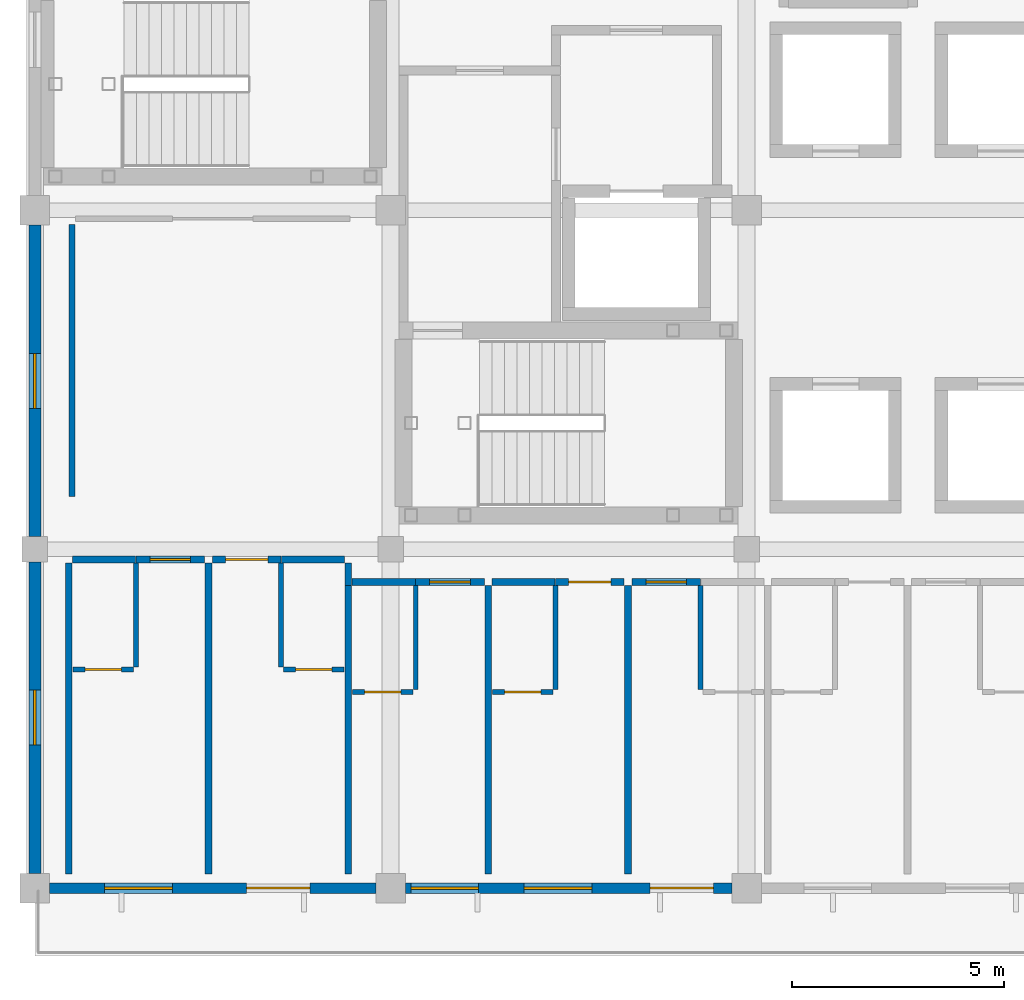
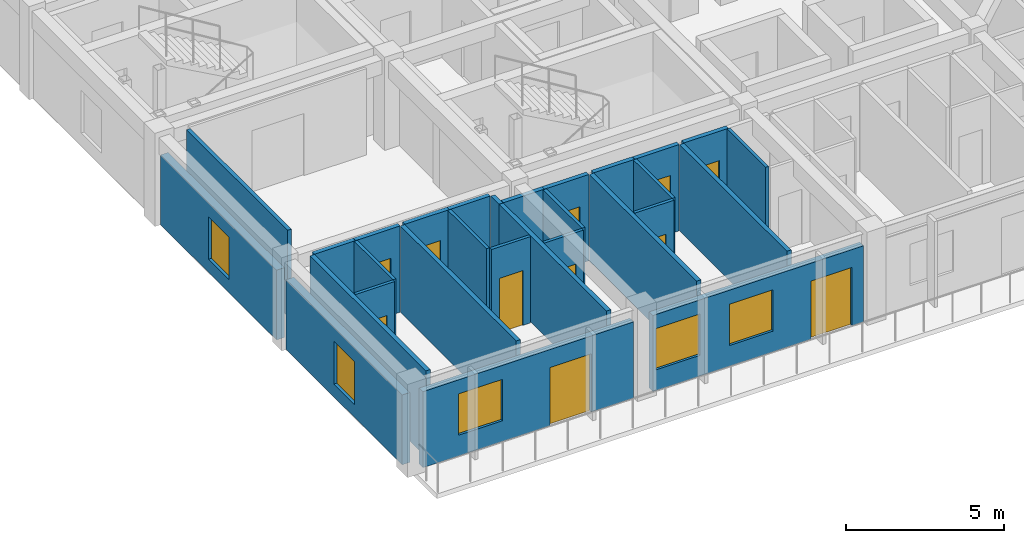
# One storey, part 4 of 15: 29 walls, 11 doors, 5 windows, 16 openings.
"""IFC4 building model written with IfcOpenShell, lengths in metres."""

from ifc_helpers import new_model, si_unit, direction, frame, frame_2d, origin, place, context, subcontext, project, spatial, rectangle, extrude, material, layer, layer_set, type_object, element, fill, save


model = new_model("IFC4")

# Units and contexts
model_context = context("Model", 3, precision=1e-05, world=origin(), true_north=direction((0.0, 1.0)))
body_context = subcontext(model_context, "Body", "Model", "MODEL_VIEW")
ifc_project = project(units=[si_unit("LENGTHUNIT", "METRE"), si_unit("AREAUNIT", "SQUARE_METRE"), si_unit("VOLUMEUNIT", "CUBIC_METRE"), si_unit("PLANEANGLEUNIT", "RADIAN"), si_unit("MASSUNIT", "GRAM", prefix="KILO")], contexts=[model_context])

# Site, building, storey
site_placement = place(None, origin())
site = spatial("IfcSite", under=ifc_project, at=site_placement, CompositionType="ELEMENT")
building_placement = place(site_placement, origin())
building = spatial("IfcBuilding", under=site, at=building_placement, Name="Naruveol Harbour Congress Hotel", CompositionType="ELEMENT")
storey_placement = place(building_placement, frame((0.0, 0.0, 32.39990234375)))
storey = spatial("IfcBuildingStorey", under=building, at=storey_placement, Name="L07", CompositionType="ELEMENT", Elevation=32.39990234375)

# Wall
ifc_material_1 = material(Name="Acoustic Double Stud Gypsum", Category="gypsum")
ifc_layer_1 = layer(ifc_material_1, 0.139892578125)
ifc_layer_set_1 = layer_set([ifc_layer_1], Name="Acoustic Double Stud Gypsum")
wall_type_1 = type_object("IfcWallType", Name="ACOUSTIC MEETING PARTITION WALL 140", PredefinedType="PARTITIONING", material=ifc_layer_set_1)
wall_1_placement = place(storey_placement, frame((118.47998046875, 9.25, 0.0), z_axis=(0.0, 0.0, 1.0), x_axis=(0.0, 1.0, 0.0)))
element("IfcWall", 1, at=wall_1_placement, inside=storey, type_object=wall_type_1, Name="Executive Harbour Lounge west partition PW-140", PredefinedType="PARTITIONING", context=body_context, shape_type="SweptSolid", body=[
    extrude(rectangle(XDim=6.409912109375, YDim=0.139892578125, at=frame_2d((3.205078125, 0.0))), origin(), (0.0, 0.0, 1.0), 3.335205078125),
])

# Wall, opening, window
ifc_material_2 = material(Name="Precast concrete C40/50", Category="concrete")
ifc_layer_2 = layer(ifc_material_2, 0.280029296875)
ifc_layer_set_2 = layer_set([ifc_layer_2], Name="Precast concrete C40/50")
wall_type_2 = type_object("IfcWallType", Name="ARCHITECTURAL PRECAST FACADE WALL 280", PredefinedType="SOLIDWALL", material=ifc_layer_set_2)
wall_2_placement = place(storey_placement, frame((117.60009765625, 0.35009765625, 0.0), z_axis=(0.0, 0.0, 1.0), x_axis=(0.0, 1.0, 0.0)))
wall_2 = element("IfcWall", 2, at=wall_2_placement, inside=storey, type_object=wall_type_2, Name="Hotel west gable wall L07 EW-280", PredefinedType="SOLIDWALL", context=body_context, shape_type="SweptSolid", body=[
    extrude(rectangle(XDim=7.349853515625, YDim=0.280029296875, at=frame_2d((3.6748046875, 0.0))), origin(), (0.0, 0.0, 1.0), 2.7001953125),
])
opening_1_placement = place(wall_2_placement, frame((3.02490234375, 0.0, 0.5)))
opening_1 = element("IfcOpeningElement", 3, at=opening_1_placement, cuts=wall_2, Name="Opening W-27", PredefinedType="OPENING", context=body_context, shape_type="SweptSolid", body=[
    extrude(rectangle(XDim=1.300048828125, YDim=1.64990234375, at=frame_2d((0.64990234375, 0.824951171875))), frame((0.0, 0.14990234375, 0.0), z_axis=(0.0, -1.0, 0.0), x_axis=(1.0, 0.0, 0.0)), (0.0, 0.0, 1.0), 0.300048828125),
])
ifc_material_3 = material(Name="Low-E Triple Glazing in Thermal Aluminium", Category="aluminium")
window_type_1 = type_object("IfcWindowType", Name="READING SALON TALL WINDOW 1300X1650", PartitioningType="SINGLE_PANEL", PredefinedType="WINDOW", material=ifc_material_3)
window_1_placement = place(opening_1_placement, origin())
window_1 = element("IfcWindow", 4, at=window_1_placement, inside=storey, type_object=window_type_1, Name="Window W-27 #411", OverallHeight=1.64990234375, OverallWidth=1.300048828125, PartitioningType="SINGLE_PANEL", PredefinedType="WINDOW", context=body_context, shape_type="SweptSolid", body=[
    extrude(rectangle(XDim=1.300048828125, YDim=1.64990234375, at=frame_2d((0.64990234375, 0.824951171875))), frame((0.0, 0.030029296875, 0.0), z_axis=(0.0, -1.0, 0.0), x_axis=(1.0, 0.0, 0.0)), (0.0, 0.0, 1.0), 0.06005859375),
])
fill(opening_1, window_1)

wall_3_placement = place(storey_placement, frame((117.60009765625, 8.300048828125, 0.0), z_axis=(0.0, 0.0, 1.0), x_axis=(0.0, 1.0, 0.0)))
wall_3 = element("IfcWall", 5, at=wall_3_placement, inside=storey, type_object=wall_type_2, Name="Hotel west gable wall L07 EW-280", PredefinedType="SOLIDWALL", context=body_context, shape_type="SweptSolid", body=[
    extrude(rectangle(XDim=7.349853515625, YDim=0.280029296875, at=frame_2d((3.6748046875, 0.0))), origin(), (0.0, 0.0, 1.0), 2.7001953125),
])
opening_2_placement = place(wall_3_placement, frame((3.02490234375, 0.0, 0.5)))
opening_2 = element("IfcOpeningElement", 6, at=opening_2_placement, cuts=wall_3, Name="Opening W-27", PredefinedType="OPENING", context=body_context, shape_type="SweptSolid", body=[
    extrude(rectangle(XDim=1.300048828125, YDim=1.64990234375, at=frame_2d((0.64990234375, 0.824951171875))), frame((0.0, 0.14990234375, 0.0), z_axis=(0.0, -1.0, 0.0), x_axis=(1.0, 0.0, 0.0)), (0.0, 0.0, 1.0), 0.300048828125),
])
window_2_placement = place(opening_2_placement, origin())
window_2 = element("IfcWindow", 7, at=window_2_placement, inside=storey, type_object=window_type_1, Name="Window W-27 #412", OverallHeight=1.64990234375, OverallWidth=1.300048828125, PartitioningType="SINGLE_PANEL", PredefinedType="WINDOW", context=body_context, shape_type="SweptSolid", body=[
    extrude(rectangle(XDim=1.300048828125, YDim=1.64990234375, at=frame_2d((0.64990234375, 0.824951171875))), frame((0.0, 0.030029296875, 0.0), z_axis=(0.0, -1.0, 0.0), x_axis=(1.0, 0.0, 0.0)), (0.0, 0.0, 1.0), 0.06005859375),
])
fill(opening_2, window_2)

# Wall
ifc_material_4 = material(Name="Moisture-Resistant Gypsum Partition", Category="gypsum")
ifc_layer_3 = layer(ifc_material_4, 0.114990234375)
ifc_layer_set_3 = layer_set([ifc_layer_3], Name="Moisture-Resistant Gypsum Partition")
wall_type_3 = type_object("IfcWallType", Name="BATHROOM MOISTURE PARTITION WALL 115", PredefinedType="PARTITIONING", material=ifc_layer_set_3)
wall_4_placement = place(storey_placement, frame((119.989990234375, 5.219970703125, 0.0), z_axis=(0.0, 0.0, 1.0), x_axis=(0.0, 1.0, 0.0)))
element("IfcWall", 8, at=wall_4_placement, inside=storey, type_object=wall_type_3, Name="Bathroom east wall 0887 PW-115", PredefinedType="PARTITIONING", context=body_context, shape_type="SweptSolid", body=[
    extrude(rectangle(XDim=2.449951171875, YDim=0.114990234375, at=frame_2d((1.22509765625, 0.0))), origin(), (0.0, 0.0, 1.0), 3.335205078125),
])

# Wall, opening, door
wall_5_placement = place(storey_placement, frame((118.5, 5.159912109375, 0.0), z_axis=(0.0, 0.0, 1.0), x_axis=(1.0, 0.0, 0.0)))
wall_5 = element("IfcWall", 9, at=wall_5_placement, inside=storey, type_object=wall_type_3, Name="Bathroom south wall 0887 PW-115", PredefinedType="PARTITIONING", context=body_context, shape_type="SweptSolid", body=[
    extrude(rectangle(XDim=1.429931640625, YDim=0.114990234375, at=frame_2d((0.71484375, 0.0))), origin(), (0.0, 0.0, 1.0), 3.335205078125),
])
opening_3_placement = place(wall_5_placement, frame((0.284912109375, 0.0, 0.0)))
opening_3 = element("IfcOpeningElement", 10, at=opening_3_placement, cuts=wall_5, Name="Opening BD-RM0887", PredefinedType="OPENING", context=body_context, shape_type="SweptSolid", body=[
    extrude(rectangle(XDim=0.860107421875, YDim=2.1201171875, at=frame_2d((0.43017578125, 1.06005859375))), frame((0.0, 0.0673828125, 0.0), z_axis=(0.0, -1.0, 0.0), x_axis=(1.0, 0.0, 0.0)), (0.0, 0.0, 1.0), 0.135009765625),
])
ifc_material_5 = material(Name="Timber & Steel Acoustic Leaf", Category="steel")
door_type_1 = type_object("IfcDoorType", Name="GUEST BATHROOM DOOR 860X2120", OperationType="NOTDEFINED", PredefinedType="DOOR", material=ifc_material_5)
door_1_placement = place(opening_3_placement, origin())
door_1 = element("IfcDoor", 11, at=door_1_placement, inside=storey, type_object=door_type_1, Name="Bathroom Door 0887", OperationType="SINGLE_SWING_RIGHT", OverallHeight=2.1201171875, OverallWidth=0.860107421875, PredefinedType="DOOR", context=body_context, shape_type="SweptSolid", body=[
    extrude(rectangle(XDim=0.860107421875, YDim=2.1201171875, at=frame_2d((0.43017578125, 1.06005859375))), frame((0.0, 0.02490234375, 0.0), z_axis=(0.0, -1.0, 0.0), x_axis=(1.0, 0.0, 0.0)), (0.0, 0.0, 1.0), 0.050048828125),
])
fill(opening_3, door_1)

# Wall
wall_6_placement = place(storey_placement, frame((123.409912109375, 5.219970703125, 0.0), z_axis=(0.0, 0.0, 1.0), x_axis=(0.0, 1.0, 0.0)))
element("IfcWall", 12, at=wall_6_placement, inside=storey, type_object=wall_type_3, Name="Bathroom west wall 0888 PW-115", PredefinedType="PARTITIONING", context=body_context, shape_type="SweptSolid", body=[
    extrude(rectangle(XDim=2.449951171875, YDim=0.114990234375, at=frame_2d((1.22509765625, 0.0))), origin(), (0.0, 0.0, 1.0), 3.335205078125),
])

# Wall, opening, door
wall_7_placement = place(storey_placement, frame((123.469970703125, 5.159912109375, 0.0), z_axis=(0.0, 0.0, 1.0), x_axis=(1.0, 0.0, 0.0)))
wall_7 = element("IfcWall", 13, at=wall_7_placement, inside=storey, type_object=wall_type_3, Name="Bathroom south wall 0888 PW-115", PredefinedType="PARTITIONING", context=body_context, shape_type="SweptSolid", body=[
    extrude(rectangle(XDim=1.429931640625, YDim=0.114990234375, at=frame_2d((0.71484375, 0.0))), origin(), (0.0, 0.0, 1.0), 3.335205078125),
])
opening_4_placement = place(wall_7_placement, frame((0.284912109375, 0.0, 0.0)))
opening_4 = element("IfcOpeningElement", 14, at=opening_4_placement, cuts=wall_7, Name="Opening BD-RM0888", PredefinedType="OPENING", context=body_context, shape_type="SweptSolid", body=[
    extrude(rectangle(XDim=0.860107421875, YDim=2.1201171875, at=frame_2d((0.43017578125, 1.06005859375))), frame((0.0, 0.0673828125, 0.0), z_axis=(0.0, -1.0, 0.0), x_axis=(1.0, 0.0, 0.0)), (0.0, 0.0, 1.0), 0.135009765625),
])
door_2_placement = place(opening_4_placement, origin())
door_2 = element("IfcDoor", 15, at=door_2_placement, inside=storey, type_object=door_type_1, Name="Bathroom Door 0888", OperationType="SINGLE_SWING_RIGHT", OverallHeight=2.1201171875, OverallWidth=0.860107421875, PredefinedType="DOOR", context=body_context, shape_type="SweptSolid", body=[
    extrude(rectangle(XDim=0.860107421875, YDim=2.1201171875, at=frame_2d((0.43017578125, 1.06005859375))), frame((0.0, 0.02490234375, 0.0), z_axis=(0.0, -1.0, 0.0), x_axis=(1.0, 0.0, 0.0)), (0.0, 0.0, 1.0), 0.050048828125),
])
fill(opening_4, door_2)

# Wall
wall_8_placement = place(storey_placement, frame((126.590087890625, 4.68994140625, 0.0), z_axis=(0.0, 0.0, 1.0), x_axis=(0.0, 1.0, 0.0)))
element("IfcWall", 16, at=wall_8_placement, inside=storey, type_object=wall_type_3, Name="Bathroom east wall 0889 PW-115", PredefinedType="PARTITIONING", context=body_context, shape_type="SweptSolid", body=[
    extrude(rectangle(XDim=2.449951171875, YDim=0.114990234375, at=frame_2d((1.22509765625, 0.0))), origin(), (0.0, 0.0, 1.0), 3.335205078125),
])

# Wall, opening, door
wall_9_placement = place(storey_placement, frame((125.10009765625, 4.6298828125, 0.0), z_axis=(0.0, 0.0, 1.0), x_axis=(1.0, 0.0, 0.0)))
wall_9 = element("IfcWall", 17, at=wall_9_placement, inside=storey, type_object=wall_type_3, Name="Bathroom south wall 0889 PW-115", PredefinedType="PARTITIONING", context=body_context, shape_type="SweptSolid", body=[
    extrude(rectangle(XDim=1.429931640625, YDim=0.114990234375, at=frame_2d((0.71484375, 0.0))), origin(), (0.0, 0.0, 1.0), 3.335205078125),
])
opening_5_placement = place(wall_9_placement, frame((0.284912109375, 0.0, 0.0)))
opening_5 = element("IfcOpeningElement", 18, at=opening_5_placement, cuts=wall_9, Name="Opening BD-RM0889", PredefinedType="OPENING", context=body_context, shape_type="SweptSolid", body=[
    extrude(rectangle(XDim=0.860107421875, YDim=2.1201171875, at=frame_2d((0.43017578125, 1.06005859375))), frame((0.0, 0.0673828125, 0.0), z_axis=(0.0, -1.0, 0.0), x_axis=(1.0, 0.0, 0.0)), (0.0, 0.0, 1.0), 0.135009765625),
])
door_3_placement = place(opening_5_placement, origin())
door_3 = element("IfcDoor", 19, at=door_3_placement, inside=storey, type_object=door_type_1, Name="Bathroom Door 0889", OperationType="SINGLE_SWING_RIGHT", OverallHeight=2.1201171875, OverallWidth=0.860107421875, PredefinedType="DOOR", context=body_context, shape_type="SweptSolid", body=[
    extrude(rectangle(XDim=0.860107421875, YDim=2.1201171875, at=frame_2d((0.43017578125, 1.06005859375))), frame((0.0, 0.02490234375, 0.0), z_axis=(0.0, -1.0, 0.0), x_axis=(1.0, 0.0, 0.0)), (0.0, 0.0, 1.0), 0.050048828125),
])
fill(opening_5, door_3)

# Wall
wall_10_placement = place(storey_placement, frame((129.889892578125, 4.68994140625, 0.0), z_axis=(0.0, 0.0, 1.0), x_axis=(0.0, 1.0, 0.0)))
element("IfcWall", 20, at=wall_10_placement, inside=storey, type_object=wall_type_3, Name="Bathroom east wall 0890 PW-115", PredefinedType="PARTITIONING", context=body_context, shape_type="SweptSolid", body=[
    extrude(rectangle(XDim=2.449951171875, YDim=0.114990234375, at=frame_2d((1.22509765625, 0.0))), origin(), (0.0, 0.0, 1.0), 3.335205078125),
])

# Wall, opening, door
wall_11_placement = place(storey_placement, frame((128.39990234375, 4.6298828125, 0.0), z_axis=(0.0, 0.0, 1.0), x_axis=(1.0, 0.0, 0.0)))
wall_11 = element("IfcWall", 21, at=wall_11_placement, inside=storey, type_object=wall_type_3, Name="Bathroom south wall 0890 PW-115", PredefinedType="PARTITIONING", context=body_context, shape_type="SweptSolid", body=[
    extrude(rectangle(XDim=1.43017578125, YDim=0.114990234375, at=frame_2d((0.715087890625, 0.0))), origin(), (0.0, 0.0, 1.0), 3.335205078125),
])
opening_6_placement = place(wall_11_placement, frame((0.284912109375, 0.0, 0.0)))
opening_6 = element("IfcOpeningElement", 22, at=opening_6_placement, cuts=wall_11, Name="Opening BD-RM0890", PredefinedType="OPENING", context=body_context, shape_type="SweptSolid", body=[
    extrude(rectangle(XDim=0.860107421875, YDim=2.1201171875, at=frame_2d((0.43017578125, 1.06005859375))), frame((0.0, 0.0673828125, 0.0), z_axis=(0.0, -1.0, 0.0), x_axis=(1.0, 0.0, 0.0)), (0.0, 0.0, 1.0), 0.135009765625),
])
door_4_placement = place(opening_6_placement, origin())
door_4 = element("IfcDoor", 23, at=door_4_placement, inside=storey, type_object=door_type_1, Name="Bathroom Door 0890", OperationType="SINGLE_SWING_RIGHT", OverallHeight=2.1201171875, OverallWidth=0.860107421875, PredefinedType="DOOR", context=body_context, shape_type="SweptSolid", body=[
    extrude(rectangle(XDim=0.860107421875, YDim=2.1201171875, at=frame_2d((0.43017578125, 1.06005859375))), frame((0.0, 0.02490234375, 0.0), z_axis=(0.0, -1.0, 0.0), x_axis=(1.0, 0.0, 0.0)), (0.0, 0.0, 1.0), 0.050048828125),
])
fill(opening_6, door_4)

# Walls
wall_12_placement = place(storey_placement, frame((133.31005859375, 4.68994140625, 0.0), z_axis=(0.0, 0.0, 1.0), x_axis=(0.0, 1.0, 0.0)))
element("IfcWall", 24, at=wall_12_placement, inside=storey, type_object=wall_type_3, Name="Bathroom west wall 0891 PW-115", PredefinedType="PARTITIONING", context=body_context, shape_type="SweptSolid", body=[
    extrude(rectangle(XDim=2.449951171875, YDim=0.114990234375, at=frame_2d((1.22509765625, 0.0))), origin(), (0.0, 0.0, 1.0), 3.335205078125),
])
ifc_material_6 = material(Name="Autoclaved Aerated Concrete Block", Category="concrete")
ifc_layer_4 = layer(ifc_material_6, 0.159912109375)
ifc_layer_set_4 = layer_set([ifc_layer_4], Name="Autoclaved Aerated Concrete Block")
wall_type_4 = type_object("IfcWallType", Name="HOTEL PARTY AND CORRIDOR WALL 160 EI60", PredefinedType="PARTITIONING", material=ifc_layer_set_4)
wall_13_placement = place(storey_placement, frame((118.489990234375, 7.760009765625, 0.0), z_axis=(0.0, 0.0, 1.0), x_axis=(1.0, 0.0, 0.0)))
element("IfcWall", 25, at=wall_13_placement, inside=storey, type_object=wall_type_4, Name="Corridor wall 0887B PW-160", PredefinedType="PARTITIONING", context=body_context, shape_type="SweptSolid", body=[
    extrude(rectangle(XDim=1.489990234375, YDim=0.159912109375, at=frame_2d((0.7451171875, 0.0))), origin(), (0.0, 0.0, 1.0), 3.335205078125),
])

# Wall, opening, door
wall_14_placement = place(storey_placement, frame((119.989990234375, 7.760009765625, 0.0), z_axis=(0.0, 0.0, 1.0), x_axis=(1.0, 0.0, 0.0)))
wall_14 = element("IfcWall", 26, at=wall_14_placement, inside=storey, type_object=wall_type_4, Name="Corridor entry wall 0887 PW-160", PredefinedType="PARTITIONING", context=body_context, shape_type="SweptSolid", body=[
    extrude(rectangle(XDim=1.6201171875, YDim=0.159912109375, at=frame_2d((0.81005859375, 0.0))), origin(), (0.0, 0.0, 1.0), 3.335205078125),
])
opening_7_placement = place(wall_14_placement, frame((0.330078125, 0.0, 0.0)))
opening_7 = element("IfcOpeningElement", 27, at=opening_7_placement, cuts=wall_14, Name="Opening FD-RM0887", PredefinedType="OPENING", context=body_context, shape_type="SweptSolid", body=[
    extrude(rectangle(XDim=0.9599609375, YDim=2.199951171875, at=frame_2d((0.47998046875, 1.10009765625))), frame((0.0, 0.08984375, 0.0), z_axis=(0.0, -1.0, 0.0), x_axis=(1.0, 0.0, 0.0)), (0.0, 0.0, 1.0), 0.179931640625),
])
ifc_material_7 = material(Name="Timber & Steel Acoustic Leaf", Category="steel")
door_type_2 = type_object("IfcDoorType", Name="GUEST ROOM ENTRANCE FIRE DOOR 960X2200", OperationType="NOTDEFINED", PredefinedType="DOOR", material=ifc_material_7)
door_5_placement = place(opening_7_placement, origin())
door_5 = element("IfcDoor", 28, at=door_5_placement, inside=storey, type_object=door_type_2, Name="Hotel Room Door 0887", OperationType="SINGLE_SWING_LEFT", OverallHeight=2.199951171875, OverallWidth=0.9599609375, PredefinedType="DOOR", context=body_context, shape_type="SweptSolid", body=[
    extrude(rectangle(XDim=0.9599609375, YDim=2.199951171875, at=frame_2d((0.47998046875, 1.10009765625))), frame((0.0, 0.02490234375, 0.0), z_axis=(0.0, -1.0, 0.0), x_axis=(1.0, 0.0, 0.0)), (0.0, 0.0, 1.0), 0.050048828125),
])
fill(opening_7, door_5)

# Wall
wall_15_placement = place(storey_placement, frame((118.39990234375, 0.340087890625, 0.0), z_axis=(0.0, 0.0, 1.0), x_axis=(0.0, 1.0, 0.0)))
element("IfcWall", 29, at=wall_15_placement, inside=storey, type_object=wall_type_4, Name="Hotel party wall 0887 PW-160", PredefinedType="PARTITIONING", context=body_context, shape_type="SweptSolid", body=[
    extrude(rectangle(XDim=7.329833984375, YDim=0.159912109375, at=frame_2d((3.6650390625, 0.0))), origin(), (0.0, 0.0, 1.0), 3.335205078125),
])

# Wall, opening, door
wall_16_placement = place(storey_placement, frame((121.7900390625, 7.760009765625, 0.0), z_axis=(0.0, 0.0, 1.0), x_axis=(1.0, 0.0, 0.0)))
wall_16 = element("IfcWall", 30, at=wall_16_placement, inside=storey, type_object=wall_type_4, Name="Corridor entry wall 0888 PW-160", PredefinedType="PARTITIONING", context=body_context, shape_type="SweptSolid", body=[
    extrude(rectangle(XDim=1.619873046875, YDim=0.159912109375, at=frame_2d((0.81005859375, 0.0))), origin(), (0.0, 0.0, 1.0), 3.335205078125),
])
opening_8_placement = place(wall_16_placement, frame((0.31005859375, 0.0, 0.0)))
opening_8 = element("IfcOpeningElement", 31, at=opening_8_placement, cuts=wall_16, Name="Opening FD-RM0888", PredefinedType="OPENING", context=body_context, shape_type="SweptSolid", body=[
    extrude(rectangle(XDim=1.0, YDim=2.25, at=frame_2d((0.5, 1.125))), frame((0.0, 0.08984375, 0.0), z_axis=(0.0, -1.0, 0.0), x_axis=(1.0, 0.0, 0.0)), (0.0, 0.0, 1.0), 0.179931640625),
])
ifc_material_8 = material(Name="Timber & Steel Acoustic Leaf", Category="steel")
door_type_3 = type_object("IfcDoorType", Name="DELUXE GUEST ENTRANCE FIRE DOOR 1000X2250", OperationType="NOTDEFINED", PredefinedType="DOOR", material=ifc_material_8)
door_6_placement = place(opening_8_placement, origin())
door_6 = element("IfcDoor", 32, at=door_6_placement, inside=storey, type_object=door_type_3, Name="Hotel Room Door 0888", OperationType="SINGLE_SWING_LEFT", OverallHeight=2.25, OverallWidth=1.0, PredefinedType="DOOR", context=body_context, shape_type="SweptSolid", body=[
    extrude(rectangle(XDim=1.0, YDim=2.25, at=frame_2d((0.5, 1.125))), frame((0.0, 0.02490234375, 0.0), z_axis=(0.0, -1.0, 0.0), x_axis=(1.0, 0.0, 0.0)), (0.0, 0.0, 1.0), 0.050048828125),
])
fill(opening_8, door_6)

# Walls
wall_17_placement = place(storey_placement, frame((123.419921875, 7.760009765625, 0.0), z_axis=(0.0, 0.0, 1.0), x_axis=(1.0, 0.0, 0.0)))
element("IfcWall", 33, at=wall_17_placement, inside=storey, type_object=wall_type_4, Name="Corridor wall 0888B PW-160", PredefinedType="PARTITIONING", context=body_context, shape_type="SweptSolid", body=[
    extrude(rectangle(XDim=1.489990234375, YDim=0.159912109375, at=frame_2d((0.7451171875, 0.0))), origin(), (0.0, 0.0, 1.0), 3.335205078125),
])
wall_18_placement = place(storey_placement, frame((121.699951171875, 0.340087890625, 0.0), z_axis=(0.0, 0.0, 1.0), x_axis=(0.0, 1.0, 0.0)))
element("IfcWall", 34, at=wall_18_placement, inside=storey, type_object=wall_type_4, Name="Hotel party wall 0888 PW-160", PredefinedType="PARTITIONING", context=body_context, shape_type="SweptSolid", body=[
    extrude(rectangle(XDim=7.329833984375, YDim=0.159912109375, at=frame_2d((3.6650390625, 0.0))), origin(), (0.0, 0.0, 1.0), 3.335205078125),
])
wall_19_placement = place(storey_placement, frame((125.0, 7.14990234375, 0.0), z_axis=(0.0, 0.0, 1.0), x_axis=(0.0, 1.0, 0.0)))
element("IfcWall", 35, at=wall_19_placement, inside=storey, type_object=wall_type_4, Name="Hotel end party wall 0888 PW-160", PredefinedType="PARTITIONING", context=body_context, shape_type="SweptSolid", body=[
    extrude(rectangle(XDim=0.52001953125, YDim=0.159912109375, at=frame_2d((0.260009765625, 0.0))), origin(), (0.0, 0.0, 1.0), 3.335205078125),
])
wall_20_placement = place(storey_placement, frame((125.090087890625, 7.22998046875, 0.0), z_axis=(0.0, 0.0, 1.0), x_axis=(1.0, 0.0, 0.0)))
element("IfcWall", 36, at=wall_20_placement, inside=storey, type_object=wall_type_4, Name="Corridor wall 0889B PW-160", PredefinedType="PARTITIONING", context=body_context, shape_type="SweptSolid", body=[
    extrude(rectangle(XDim=1.489990234375, YDim=0.159912109375, at=frame_2d((0.7451171875, 0.0))), origin(), (0.0, 0.0, 1.0), 3.335205078125),
])

# Wall, opening, door
wall_21_placement = place(storey_placement, frame((126.590087890625, 7.22998046875, 0.0), z_axis=(0.0, 0.0, 1.0), x_axis=(1.0, 0.0, 0.0)))
wall_21 = element("IfcWall", 37, at=wall_21_placement, inside=storey, type_object=wall_type_4, Name="Corridor entry wall 0889 PW-160", PredefinedType="PARTITIONING", context=body_context, shape_type="SweptSolid", body=[
    extrude(rectangle(XDim=1.619873046875, YDim=0.159912109375, at=frame_2d((0.81005859375, 0.0))), origin(), (0.0, 0.0, 1.0), 3.335205078125),
])
opening_9_placement = place(wall_21_placement, frame((0.330078125, 0.0, 0.0)))
opening_9 = element("IfcOpeningElement", 38, at=opening_9_placement, cuts=wall_21, Name="Opening FD-RM0889", PredefinedType="OPENING", context=body_context, shape_type="SweptSolid", body=[
    extrude(rectangle(XDim=0.9599609375, YDim=2.199951171875, at=frame_2d((0.47998046875, 1.10009765625))), frame((0.0, 0.08984375, 0.0), z_axis=(0.0, -1.0, 0.0), x_axis=(1.0, 0.0, 0.0)), (0.0, 0.0, 1.0), 0.179931640625),
])
door_7_placement = place(opening_9_placement, origin())
door_7 = element("IfcDoor", 39, at=door_7_placement, inside=storey, type_object=door_type_2, Name="Hotel Room Door 0889", OperationType="SINGLE_SWING_LEFT", OverallHeight=2.199951171875, OverallWidth=0.9599609375, PredefinedType="DOOR", context=body_context, shape_type="SweptSolid", body=[
    extrude(rectangle(XDim=0.9599609375, YDim=2.199951171875, at=frame_2d((0.47998046875, 1.10009765625))), frame((0.0, 0.02490234375, 0.0), z_axis=(0.0, -1.0, 0.0), x_axis=(1.0, 0.0, 0.0)), (0.0, 0.0, 1.0), 0.050048828125),
])
fill(opening_9, door_7)

# Walls
wall_22_placement = place(storey_placement, frame((125.0, 0.340087890625, 0.0), z_axis=(0.0, 0.0, 1.0), x_axis=(0.0, 1.0, 0.0)))
element("IfcWall", 40, at=wall_22_placement, inside=storey, type_object=wall_type_4, Name="Hotel party wall 0889 PW-160", PredefinedType="PARTITIONING", context=body_context, shape_type="SweptSolid", body=[
    extrude(rectangle(XDim=6.7998046875, YDim=0.159912109375, at=frame_2d((3.39990234375, 0.0))), origin(), (0.0, 0.0, 1.0), 3.335205078125),
])
wall_23_placement = place(storey_placement, frame((128.389892578125, 7.22998046875, 0.0), z_axis=(0.0, 0.0, 1.0), x_axis=(1.0, 0.0, 0.0)))
element("IfcWall", 41, at=wall_23_placement, inside=storey, type_object=wall_type_4, Name="Corridor wall 0890B PW-160", PredefinedType="PARTITIONING", context=body_context, shape_type="SweptSolid", body=[
    extrude(rectangle(XDim=1.489990234375, YDim=0.159912109375, at=frame_2d((0.7451171875, 0.0))), origin(), (0.0, 0.0, 1.0), 3.335205078125),
])

# Wall, opening, door
wall_24_placement = place(storey_placement, frame((129.889892578125, 7.22998046875, 0.0), z_axis=(0.0, 0.0, 1.0), x_axis=(1.0, 0.0, 0.0)))
wall_24 = element("IfcWall", 42, at=wall_24_placement, inside=storey, type_object=wall_type_4, Name="Corridor entry wall 0890 PW-160", PredefinedType="PARTITIONING", context=body_context, shape_type="SweptSolid", body=[
    extrude(rectangle(XDim=1.6201171875, YDim=0.159912109375, at=frame_2d((0.81005859375, 0.0))), origin(), (0.0, 0.0, 1.0), 3.335205078125),
])
opening_10_placement = place(wall_24_placement, frame((0.31005859375, 0.0, 0.0)))
opening_10 = element("IfcOpeningElement", 43, at=opening_10_placement, cuts=wall_24, Name="Opening FD-RM0890", PredefinedType="OPENING", context=body_context, shape_type="SweptSolid", body=[
    extrude(rectangle(XDim=1.0, YDim=2.25, at=frame_2d((0.5, 1.125))), frame((0.0, 0.08984375, 0.0), z_axis=(0.0, -1.0, 0.0), x_axis=(1.0, 0.0, 0.0)), (0.0, 0.0, 1.0), 0.179931640625),
])
door_8_placement = place(opening_10_placement, origin())
door_8 = element("IfcDoor", 44, at=door_8_placement, inside=storey, type_object=door_type_3, Name="Hotel Room Door 0890", OperationType="SINGLE_SWING_LEFT", OverallHeight=2.25, OverallWidth=1.0, PredefinedType="DOOR", context=body_context, shape_type="SweptSolid", body=[
    extrude(rectangle(XDim=1.0, YDim=2.25, at=frame_2d((0.5, 1.125))), frame((0.0, 0.02490234375, 0.0), z_axis=(0.0, -1.0, 0.0), x_axis=(1.0, 0.0, 0.0)), (0.0, 0.0, 1.0), 0.050048828125),
])
fill(opening_10, door_8)

# Wall
wall_25_placement = place(storey_placement, frame((128.300048828125, 0.340087890625, 0.0), z_axis=(0.0, 0.0, 1.0), x_axis=(0.0, 1.0, 0.0)))
element("IfcWall", 45, at=wall_25_placement, inside=storey, type_object=wall_type_4, Name="Hotel party wall 0890 PW-160", PredefinedType="PARTITIONING", context=body_context, shape_type="SweptSolid", body=[
    extrude(rectangle(XDim=6.7998046875, YDim=0.159912109375, at=frame_2d((3.39990234375, 0.0))), origin(), (0.0, 0.0, 1.0), 3.335205078125),
])

# Wall, opening, door
wall_26_placement = place(storey_placement, frame((131.68994140625, 7.22998046875, 0.0), z_axis=(0.0, 0.0, 1.0), x_axis=(1.0, 0.0, 0.0)))
wall_26 = element("IfcWall", 46, at=wall_26_placement, inside=storey, type_object=wall_type_4, Name="Corridor entry wall 0891 PW-160", PredefinedType="PARTITIONING", context=body_context, shape_type="SweptSolid", body=[
    extrude(rectangle(XDim=1.6201171875, YDim=0.159912109375, at=frame_2d((0.81005859375, 0.0))), origin(), (0.0, 0.0, 1.0), 3.335205078125),
])
opening_11_placement = place(wall_26_placement, frame((0.330078125, 0.0, 0.0)))
opening_11 = element("IfcOpeningElement", 47, at=opening_11_placement, cuts=wall_26, Name="Opening FD-RM0891", PredefinedType="OPENING", context=body_context, shape_type="SweptSolid", body=[
    extrude(rectangle(XDim=0.9599609375, YDim=2.199951171875, at=frame_2d((0.47998046875, 1.10009765625))), frame((0.0, 0.08984375, 0.0), z_axis=(0.0, -1.0, 0.0), x_axis=(1.0, 0.0, 0.0)), (0.0, 0.0, 1.0), 0.179931640625),
])
door_9_placement = place(opening_11_placement, origin())
door_9 = element("IfcDoor", 48, at=door_9_placement, inside=storey, type_object=door_type_2, Name="Hotel Room Door 0891", OperationType="SINGLE_SWING_LEFT", OverallHeight=2.199951171875, OverallWidth=0.9599609375, PredefinedType="DOOR", context=body_context, shape_type="SweptSolid", body=[
    extrude(rectangle(XDim=0.9599609375, YDim=2.199951171875, at=frame_2d((0.47998046875, 1.10009765625))), frame((0.0, 0.02490234375, 0.0), z_axis=(0.0, -1.0, 0.0), x_axis=(1.0, 0.0, 0.0)), (0.0, 0.0, 1.0), 0.050048828125),
])
fill(opening_11, door_9)

# Wall
wall_27_placement = place(storey_placement, frame((131.60009765625, 0.340087890625, 0.0), z_axis=(0.0, 0.0, 1.0), x_axis=(0.0, 1.0, 0.0)))
element("IfcWall", 49, at=wall_27_placement, inside=storey, type_object=wall_type_4, Name="Hotel party wall 0891 PW-160", PredefinedType="PARTITIONING", context=body_context, shape_type="SweptSolid", body=[
    extrude(rectangle(XDim=6.7998046875, YDim=0.159912109375, at=frame_2d((3.39990234375, 0.0))), origin(), (0.0, 0.0, 1.0), 3.335205078125),
])

# Wall, openings, window, door
ifc_material_9 = material(Name="Concrete C40/50", Category="concrete")
ifc_layer_5 = layer(ifc_material_9, 0.239990234375)
ifc_layer_set_5 = layer_set([ifc_layer_5], Name="Concrete C40/50")
wall_type_5 = type_object("IfcWallType", Name="INSULATED HOTEL SPANDREL WALL 240", PredefinedType="SOLIDWALL", material=ifc_layer_set_5)
wall_28_placement = place(storey_placement, frame((125.64990234375, 0.0, 0.0), z_axis=(0.0, 0.0, 1.0), x_axis=(-1.0, 0.0, 0.0)))
wall_28 = element("IfcWall", 50, at=wall_28_placement, inside=storey, type_object=wall_type_5, Name="Hotel south waterfront wall L07 EW-240", PredefinedType="SOLIDWALL", context=body_context, shape_type="SweptSolid", body=[
    extrude(rectangle(XDim=7.699951171875, YDim=0.239990234375, at=frame_2d((3.85009765625, 0.0))), origin(), (0.0, 0.0, 1.0), 2.940185546875),
])
opening_12_placement = place(wall_28_placement, frame((1.550048828125, 0.0, 0.0)))
opening_12 = element("IfcOpeningElement", 51, at=opening_12_placement, cuts=wall_28, Name="Opening BD-150-054", PredefinedType="OPENING", context=body_context, shape_type="SweptSolid", body=[
    extrude(rectangle(XDim=1.5, YDim=2.25, at=frame_2d((0.75, 1.125))), frame((0.0, 0.1298828125, 0.0), z_axis=(0.0, -1.0, 0.0), x_axis=(1.0, 0.0, 0.0)), (0.0, 0.0, 1.0), 0.260009765625),
])
opening_13_placement = place(wall_28_placement, frame((4.800048828125, 0.0, 0.800048828125)))
opening_13 = element("IfcOpeningElement", 52, at=opening_13_placement, cuts=wall_28, Name="Opening W-03", PredefinedType="OPENING", context=body_context, shape_type="SweptSolid", body=[
    extrude(rectangle(XDim=1.60009765625, YDim=1.60009765625, at=frame_2d((0.800048828125, 0.800048828125))), frame((0.0, 0.1298828125, 0.0), z_axis=(0.0, -1.0, 0.0), x_axis=(1.0, 0.0, 0.0)), (0.0, 0.0, 1.0), 0.260009765625),
])
ifc_material_10 = material(Name="Low-E Triple Glazing in Thermal Aluminium", Category="aluminium")
window_type_2 = type_object("IfcWindowType", Name="DELUXE GUEST WINDOW 1600X1600", PartitioningType="SINGLE_PANEL", PredefinedType="WINDOW", material=ifc_material_10)
window_3_placement = place(opening_13_placement, origin())
window_3 = element("IfcWindow", 53, at=window_3_placement, inside=storey, type_object=window_type_2, Name="Window W-03 #380", OverallHeight=1.60009765625, OverallWidth=1.60009765625, PartitioningType="SINGLE_PANEL", PredefinedType="WINDOW", context=body_context, shape_type="SweptSolid", body=[
    extrude(rectangle(XDim=1.60009765625, YDim=1.60009765625, at=frame_2d((0.800048828125, 0.800048828125))), frame((0.0, 0.030029296875, 0.0), z_axis=(0.0, -1.0, 0.0), x_axis=(1.0, 0.0, 0.0)), (0.0, 0.0, 1.0), 0.06005859375),
])
fill(opening_13, window_3)
ifc_material_11 = material(Name="Powder-Coated Steel & Insulated Glazing", Category="steel")
door_type_4 = type_object("IfcDoorType", Name="SUITE BALCONY SLIDING DOOR 1500X2250", OperationType="SLIDING_TO_LEFT", PredefinedType="DOOR", material=ifc_material_11)
door_10_placement = place(opening_12_placement, origin())
door_10 = element("IfcDoor", 54, at=door_10_placement, inside=storey, type_object=door_type_4, Name="Exterior door BD-150-054", OperationType="SLIDING_TO_LEFT", OverallHeight=2.25, OverallWidth=1.5, PredefinedType="DOOR", context=body_context, shape_type="SweptSolid", body=[
    extrude(rectangle(XDim=1.5, YDim=2.25, at=frame_2d((0.75, 1.125))), frame((0.0, 0.02490234375, 0.0), z_axis=(0.0, -1.0, 0.0), x_axis=(1.0, 0.0, 0.0)), (0.0, 0.0, 1.0), 0.050048828125),
])
fill(opening_12, door_10)

# Wall, openings, windows, door
wall_29_placement = place(storey_placement, frame((134.050048828125, 0.0, 0.0), z_axis=(0.0, 0.0, 1.0), x_axis=(-1.0, 0.0, 0.0)))
wall_29 = element("IfcWall", 55, at=wall_29_placement, inside=storey, type_object=wall_type_5, Name="Hotel south waterfront wall L07 EW-240", PredefinedType="SOLIDWALL", context=body_context, shape_type="SweptSolid", body=[
    extrude(rectangle(XDim=7.699951171875, YDim=0.239990234375, at=frame_2d((3.85009765625, 0.0))), origin(), (0.0, 0.0, 1.0), 2.940185546875),
])
opening_14_placement = place(wall_29_placement, frame((0.425048828125, 0.0, 0.0)))
opening_14 = element("IfcOpeningElement", 56, at=opening_14_placement, cuts=wall_29, Name="Opening BD-150-055", PredefinedType="OPENING", context=body_context, shape_type="SweptSolid", body=[
    extrude(rectangle(XDim=1.5, YDim=2.25, at=frame_2d((0.75, 1.125))), frame((0.0, 0.1298828125, 0.0), z_axis=(0.0, -1.0, 0.0), x_axis=(1.0, 0.0, 0.0)), (0.0, 0.0, 1.0), 0.260009765625),
])
opening_15_placement = place(wall_29_placement, frame((3.300048828125, 0.0, 0.800048828125)))
opening_15 = element("IfcOpeningElement", 57, at=opening_15_placement, cuts=wall_29, Name="Opening W-03", PredefinedType="OPENING", context=body_context, shape_type="SweptSolid", body=[
    extrude(rectangle(XDim=1.60009765625, YDim=1.60009765625, at=frame_2d((0.800048828125, 0.800048828125))), frame((0.0, 0.1298828125, 0.0), z_axis=(0.0, -1.0, 0.0), x_axis=(1.0, 0.0, 0.0)), (0.0, 0.0, 1.0), 0.260009765625),
])
opening_16_placement = place(wall_29_placement, frame((5.97509765625, 0.0, 0.800048828125)))
opening_16 = element("IfcOpeningElement", 58, at=opening_16_placement, cuts=wall_29, Name="Opening W-03", PredefinedType="OPENING", context=body_context, shape_type="SweptSolid", body=[
    extrude(rectangle(XDim=1.60009765625, YDim=1.60009765625, at=frame_2d((0.800048828125, 0.800048828125))), frame((0.0, 0.1298828125, 0.0), z_axis=(0.0, -1.0, 0.0), x_axis=(1.0, 0.0, 0.0)), (0.0, 0.0, 1.0), 0.260009765625),
])
window_4_placement = place(opening_15_placement, origin())
window_4 = element("IfcWindow", 59, at=window_4_placement, inside=storey, type_object=window_type_2, Name="Window W-03 #383", OverallHeight=1.60009765625, OverallWidth=1.60009765625, PartitioningType="SINGLE_PANEL", PredefinedType="WINDOW", context=body_context, shape_type="SweptSolid", body=[
    extrude(rectangle(XDim=1.60009765625, YDim=1.60009765625, at=frame_2d((0.800048828125, 0.800048828125))), frame((0.0, 0.030029296875, 0.0), z_axis=(0.0, -1.0, 0.0), x_axis=(1.0, 0.0, 0.0)), (0.0, 0.0, 1.0), 0.06005859375),
])
fill(opening_15, window_4)
window_5_placement = place(opening_16_placement, origin())
window_5 = element("IfcWindow", 60, at=window_5_placement, inside=storey, type_object=window_type_2, Name="Window W-03 #384", OverallHeight=1.60009765625, OverallWidth=1.60009765625, PartitioningType="SINGLE_PANEL", PredefinedType="WINDOW", context=body_context, shape_type="SweptSolid", body=[
    extrude(rectangle(XDim=1.60009765625, YDim=1.60009765625, at=frame_2d((0.800048828125, 0.800048828125))), frame((0.0, 0.030029296875, 0.0), z_axis=(0.0, -1.0, 0.0), x_axis=(1.0, 0.0, 0.0)), (0.0, 0.0, 1.0), 0.06005859375),
])
fill(opening_16, window_5)
door_11_placement = place(opening_14_placement, origin())
door_11 = element("IfcDoor", 61, at=door_11_placement, inside=storey, type_object=door_type_4, Name="Exterior door BD-150-055", OperationType="SLIDING_TO_LEFT", OverallHeight=2.25, OverallWidth=1.5, PredefinedType="DOOR", context=body_context, shape_type="SweptSolid", body=[
    extrude(rectangle(XDim=1.5, YDim=2.25, at=frame_2d((0.75, 1.125))), frame((0.0, 0.02490234375, 0.0), z_axis=(0.0, -1.0, 0.0), x_axis=(1.0, 0.0, 0.0)), (0.0, 0.0, 1.0), 0.050048828125),
])
fill(opening_14, door_11)

save(model, "model.ifc")
